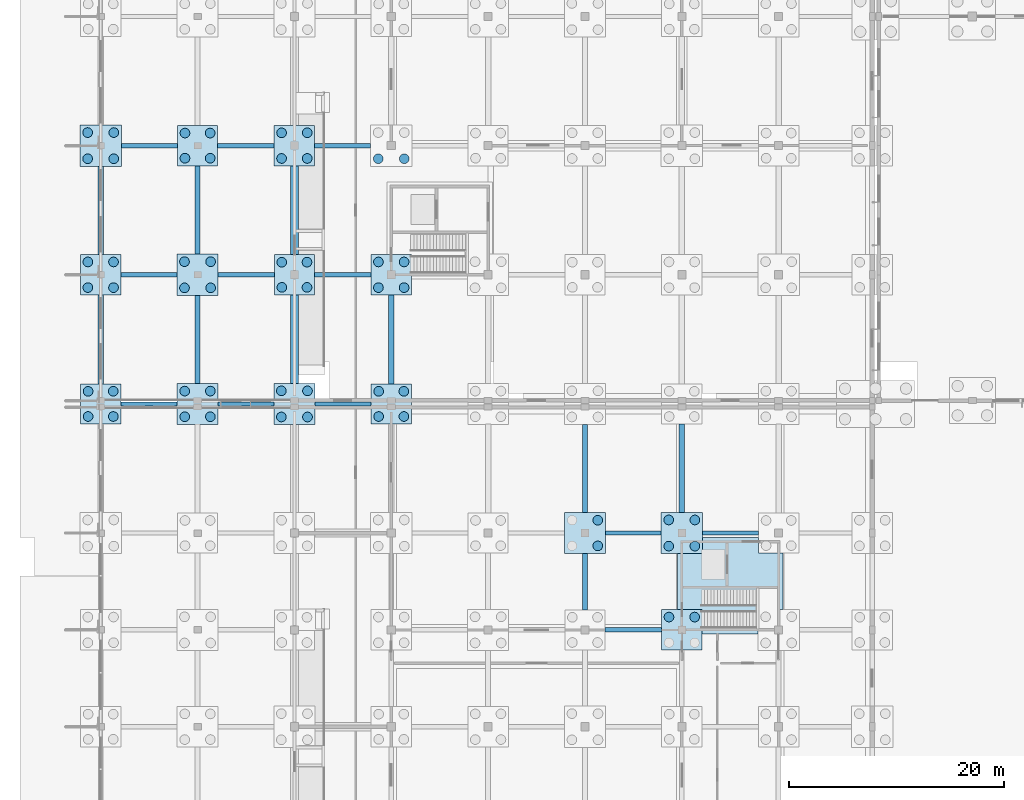
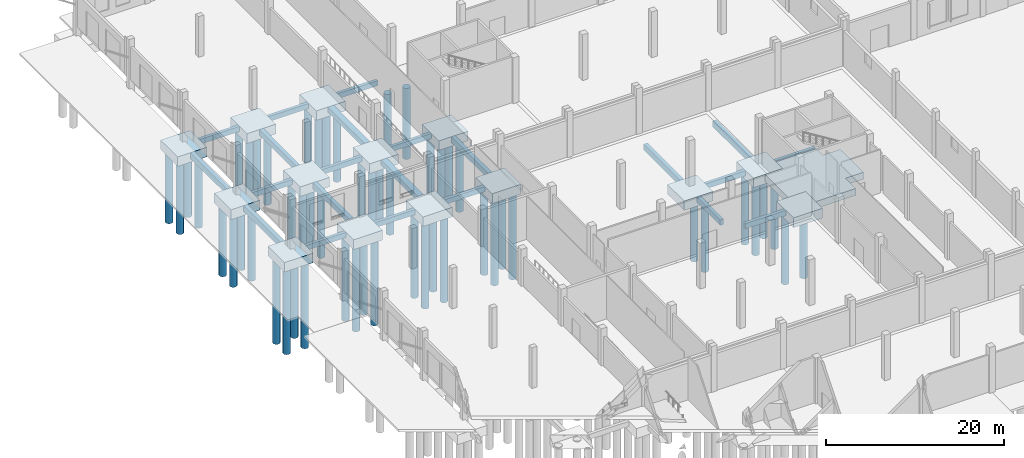
# One storey, part 9 of 99: 54 piles, 37 footings.
"""IFC4 building model written with IfcOpenShell, lengths in metres."""

from ifc_helpers import new_model, si_unit, direction, frame, origin, origin_2d, place, context, subcontext, project, spatial, polyline, rectangle, circle, outline, extrude, material, layer, layer_set, material_profile, profile_set, type_object, element, save


model = new_model("IFC4")

# Units and contexts
model_context = context("Model", 3, precision=1e-05, world=origin(), true_north=direction((0.0, 1.0)))
body_context = subcontext(model_context, "Body", "Model", "MODEL_VIEW")
ifc_project = project(units=[si_unit("LENGTHUNIT", "METRE"), si_unit("AREAUNIT", "SQUARE_METRE"), si_unit("VOLUMEUNIT", "CUBIC_METRE"), si_unit("PLANEANGLEUNIT", "RADIAN"), si_unit("MASSUNIT", "GRAM", prefix="KILO")], contexts=[model_context])

# Site, building, storey
site_placement = place(None, origin())
site = spatial("IfcSite", under=ifc_project, at=site_placement, CompositionType="ELEMENT")
building_placement = place(site_placement, origin())
building = spatial("IfcBuilding", under=site, at=building_placement, Name="Zacnel Wholesale Market", CompositionType="ELEMENT")
storey_placement = place(building_placement, origin())
storey = spatial("IfcBuildingStorey", under=building, at=storey_placement, Name="L01", CompositionType="ELEMENT", Elevation=0.0)

# Footings
ifc_material_1 = material(Name="Concrete C35/45", Category="concrete")
ifc_layer_1 = layer(ifc_material_1, 0.949951171875)
ifc_layer_set_1 = layer_set([ifc_layer_1], Name="Concrete C35/45")
footing_type_1 = type_object("IfcFootingType", Name="FTG-CORE-MAT-9500X8700", PredefinedType="PAD_FOOTING", material=ifc_layer_set_1)
footing_1_placement = place(storey_placement, frame((0.0, 0.0, -1.449951171875)))
element("IfcFooting", 1, at=footing_1_placement, inside=storey, type_object=footing_type_1, Name="Core C4 mat foundation", PredefinedType="PAD_FOOTING", context=body_context, shape_type="SweptSolid", body=[
    extrude(outline(polyline([(61.0849609375, 76.916015625), (61.0849609375, 76.916015625), (61.084716796875, 76.916015625), (61.084716796875, 76.916015625), (61.084716796875, 76.916015625), (61.08447265625, 76.916015625), (61.08447265625, 76.915771484375), (61.08447265625, 76.915771484375), (61.084228515625, 76.915771484375), (61.084228515625, 76.91552734375), (61.084228515625, 76.91552734375), (61.083984375, 76.91552734375), (61.083984375, 76.915283203125), (61.083984375, 76.915283203125), (61.083984375, 76.915283203125), (61.083984375, 76.9150390625), (61.083984375, 76.9150390625), (61.083984375, 74.60009765625), (55.89111328125, 74.60009765625), (55.89111328125, 76.889892578125), (55.89111328125, 76.89013671875), (55.89111328125, 76.89013671875), (55.89111328125, 76.890380859375), (55.890869140625, 76.890380859375), (55.890869140625, 76.890380859375), (55.890869140625, 76.890625), (55.890869140625, 76.890625), (55.890625, 76.890625), (55.890625, 76.890869140625), (55.890625, 76.890869140625), (55.890380859375, 76.890869140625), (55.890380859375, 76.890869140625), (55.890380859375, 76.89111328125), (55.89013671875, 76.89111328125), (55.89013671875, 76.89111328125), (55.889892578125, 76.89111328125), (53.60009765625, 76.89111328125), (53.60009765625, 82.083984375), (55.9150390625, 82.083984375), (55.9150390625, 82.083984375), (55.915283203125, 82.083984375), (55.915283203125, 82.083984375), (55.915283203125, 82.083984375), (55.91552734375, 82.083984375), (55.91552734375, 82.084228515625), (55.91552734375, 82.084228515625), (55.915771484375, 82.084228515625), (55.915771484375, 82.08447265625), (55.915771484375, 82.08447265625), (55.916015625, 82.08447265625), (55.916015625, 82.084716796875), (55.916015625, 82.084716796875), (55.916015625, 82.084716796875), (55.916015625, 82.0849609375), (55.916015625, 82.0849609375), (55.916015625, 83.60009765625), (61.12890625, 83.60009765625), (61.12890625, 82.1298828125), (61.12890625, 82.1298828125), (61.12890625, 82.1298828125), (61.12890625, 82.129638671875), (61.129150390625, 82.129638671875), (61.129150390625, 82.12939453125), (61.129150390625, 82.12939453125), (61.129150390625, 82.12939453125), (61.12939453125, 82.12939453125), (61.12939453125, 82.129150390625), (61.12939453125, 82.129150390625), (61.12939453125, 82.129150390625), (61.129638671875, 82.129150390625), (61.129638671875, 82.12890625), (61.1298828125, 82.12890625), (61.1298828125, 82.12890625), (61.1298828125, 82.12890625), (63.39990234375, 82.12890625), (63.39990234375, 76.916015625), (61.0849609375, 76.916015625)])), origin(), (0.0, 0.0, 1.0), 0.949951171875),
])
ifc_material_2 = material(Name="Concrete C35/45", Category="concrete")
ifc_material_profile_1 = material_profile(ifc_material_2, rectangle(XDim=0.39990234375, YDim=0.699951171875, at=origin_2d()), Name="CT 400x700")
ifc_profile_set_1 = profile_set([ifc_material_profile_1], Name="Concrete C35/45")
footing_type_2 = type_object("IfcFootingType", Name="FTG-CT400X700", PredefinedType="FOOTING_BEAM", material=ifc_profile_set_1)
footing_2_placement = place(storey_placement, frame((46.8701171875, 75.0, -0.85009765625), z_axis=(1.0, 0.0, 0.0), x_axis=(0.0, 1.0, 0.0)))
element("IfcFooting", 2, at=footing_2_placement, inside=storey, type_object=footing_type_2, Name="Ground tie beam CT-X-0415", PredefinedType="FOOTING_BEAM", context=body_context, shape_type="SweptSolid", body=[
    extrude(rectangle(XDim=0.39990234375, YDim=0.699951171875, at=origin_2d()), origin(), (0.0, 0.0, 1.0), 5.239990234375),
])
footing_3_placement = place(storey_placement, frame((46.889892578125, 84.0, -0.85009765625), z_axis=(1.0, 0.0, 0.0), x_axis=(0.0, 1.0, 0.0)))
element("IfcFooting", 3, at=footing_3_placement, inside=storey, type_object=footing_type_2, Name="Ground tie beam CT-X-0425", PredefinedType="FOOTING_BEAM", context=body_context, shape_type="SweptSolid", body=[
    extrude(rectangle(XDim=0.39990234375, YDim=0.699951171875, at=origin_2d()), origin(), (0.0, 0.0, 1.0), 5.195068359375),
])
footing_4_placement = place(storey_placement, frame((55.9150390625, 84.0, -0.85009765625), z_axis=(1.0, 0.0, 0.0), x_axis=(0.0, 1.0, 0.0)))
element("IfcFooting", 4, at=footing_4_placement, inside=storey, type_object=footing_type_2, Name="Ground tie beam CT-X-0426", PredefinedType="FOOTING_BEAM", context=body_context, shape_type="SweptSolid", body=[
    extrude(rectangle(XDim=0.39990234375, YDim=0.699951171875, at=origin_2d()), origin(), (0.0, 0.0, 1.0), 5.21484375),
])
footing_5_placement = place(storey_placement, frame((1.8701171875, 96.0, -0.85009765625), z_axis=(1.0, 0.0, 0.0), x_axis=(0.0, 1.0, 0.0)))
element("IfcFooting", 5, at=footing_5_placement, inside=storey, type_object=footing_type_2, Name="Ground tie beam CT-X-0434", PredefinedType="FOOTING_BEAM", context=body_context, shape_type="SweptSolid", body=[
    extrude(rectangle(XDim=0.39990234375, YDim=0.699951171875, at=origin_2d()), origin(), (0.0, 0.0, 1.0), 5.239990234375),
])
footing_6_placement = place(storey_placement, frame((10.889892578125, 96.0, -0.85009765625), z_axis=(1.0, 0.0, 0.0), x_axis=(0.0, 1.0, 0.0)))
element("IfcFooting", 6, at=footing_6_placement, inside=storey, type_object=footing_type_2, Name="Ground tie beam CT-X-0435", PredefinedType="FOOTING_BEAM", context=body_context, shape_type="SweptSolid", body=[
    extrude(rectangle(XDim=0.39990234375, YDim=0.699951171875, at=origin_2d()), origin(), (0.0, 0.0, 1.0), 5.195068359375),
])
footing_7_placement = place(storey_placement, frame((19.9150390625, 96.0, -0.85009765625), z_axis=(1.0, 0.0, 0.0), x_axis=(0.0, 1.0, 0.0)))
element("IfcFooting", 7, at=footing_7_placement, inside=storey, type_object=footing_type_2, Name="Ground tie beam CT-X-0436", PredefinedType="FOOTING_BEAM", context=body_context, shape_type="SweptSolid", body=[
    extrude(rectangle(XDim=0.39990234375, YDim=0.699951171875, at=origin_2d()), origin(), (0.0, 0.0, 1.0), 5.21484375),
])
footing_8_placement = place(storey_placement, frame((1.889892578125, 108.0, -0.85009765625), z_axis=(1.0, 0.0, 0.0), x_axis=(0.0, 1.0, 0.0)))
element("IfcFooting", 8, at=footing_8_placement, inside=storey, type_object=footing_type_2, Name="Ground tie beam CT-X-0451", PredefinedType="FOOTING_BEAM", context=body_context, shape_type="SweptSolid", body=[
    extrude(rectangle(XDim=0.39990234375, YDim=0.699951171875, at=origin_2d()), origin(), (0.0, 0.0, 1.0), 5.195068359375),
])
footing_9_placement = place(storey_placement, frame((10.9150390625, 108.0, -0.85009765625), z_axis=(1.0, 0.0, 0.0), x_axis=(0.0, 1.0, 0.0)))
element("IfcFooting", 9, at=footing_9_placement, inside=storey, type_object=footing_type_2, Name="Ground tie beam CT-X-0452", PredefinedType="FOOTING_BEAM", context=body_context, shape_type="SweptSolid", body=[
    extrude(rectangle(XDim=0.39990234375, YDim=0.699951171875, at=origin_2d()), origin(), (0.0, 0.0, 1.0), 5.21484375),
])
footing_10_placement = place(storey_placement, frame((19.8701171875, 108.0, -0.85009765625), z_axis=(1.0, 0.0, 0.0), x_axis=(0.0, 1.0, 0.0)))
element("IfcFooting", 10, at=footing_10_placement, inside=storey, type_object=footing_type_2, Name="Ground tie beam CT-X-0453", PredefinedType="FOOTING_BEAM", context=body_context, shape_type="SweptSolid", body=[
    extrude(rectangle(XDim=0.39990234375, YDim=0.699951171875, at=origin_2d()), origin(), (0.0, 0.0, 1.0), 5.239990234375),
])
footing_11_placement = place(storey_placement, frame((1.9150390625, 120.0, -0.85009765625), z_axis=(1.0, 0.0, 0.0), x_axis=(0.0, 1.0, 0.0)))
element("IfcFooting", 11, at=footing_11_placement, inside=storey, type_object=footing_type_2, Name="Ground tie beam CT-X-0461", PredefinedType="FOOTING_BEAM", context=body_context, shape_type="SweptSolid", body=[
    extrude(rectangle(XDim=0.39990234375, YDim=0.699951171875, at=origin_2d()), origin(), (0.0, 0.0, 1.0), 5.21484375),
])
footing_12_placement = place(storey_placement, frame((10.8701171875, 120.0, -0.85009765625), z_axis=(1.0, 0.0, 0.0), x_axis=(0.0, 1.0, 0.0)))
element("IfcFooting", 12, at=footing_12_placement, inside=storey, type_object=footing_type_2, Name="Ground tie beam CT-X-0462", PredefinedType="FOOTING_BEAM", context=body_context, shape_type="SweptSolid", body=[
    extrude(rectangle(XDim=0.39990234375, YDim=0.699951171875, at=origin_2d()), origin(), (0.0, 0.0, 1.0), 5.239990234375),
])
footing_13_placement = place(storey_placement, frame((19.889892578125, 120.0, -0.85009765625), z_axis=(1.0, 0.0, 0.0), x_axis=(0.0, 1.0, 0.0)))
element("IfcFooting", 13, at=footing_13_placement, inside=storey, type_object=footing_type_2, Name="Ground tie beam CT-X-0463", PredefinedType="FOOTING_BEAM", context=body_context, shape_type="SweptSolid", body=[
    extrude(rectangle(XDim=0.39990234375, YDim=0.699951171875, at=origin_2d()), origin(), (0.0, 0.0, 1.0), 5.195068359375),
])
ifc_material_3 = material(Name="Concrete C35/45", Category="concrete")
ifc_material_profile_2 = material_profile(ifc_material_3, rectangle(XDim=0.449951171875, YDim=0.75, at=origin_2d()), Name="CT 450x750")
ifc_profile_set_2 = profile_set([ifc_material_profile_2], Name="Concrete C35/45")
footing_type_3 = type_object("IfcFootingType", Name="FTG-CT450X750", PredefinedType="FOOTING_BEAM", material=ifc_profile_set_2)
footing_14_placement = place(storey_placement, frame((45.0, 76.8701171875, -0.875), z_axis=(0.0, 1.0, 0.0), x_axis=(-1.0, 0.0, 0.0)))
element("IfcFooting", 14, at=footing_14_placement, inside=storey, type_object=footing_type_3, Name="Ground tie beam CT-Y-0051", PredefinedType="FOOTING_BEAM", context=body_context, shape_type="SweptSolid", body=[
    extrude(rectangle(XDim=0.449951171875, YDim=0.75, at=origin_2d()), origin(), (0.0, 0.0, 1.0), 5.239990234375),
])
ifc_material_4 = material(Name="Concrete C35/45", Category="concrete")
ifc_material_profile_3 = material_profile(ifc_material_4, rectangle(XDim=0.5, YDim=0.800048828125, at=origin_2d()), Name="CT 500x800")
ifc_profile_set_3 = profile_set([ifc_material_profile_3], Name="Concrete C35/45")
footing_type_4 = type_object("IfcFootingType", Name="FTG-CT500X800", PredefinedType="FOOTING_BEAM", material=ifc_profile_set_3)
footing_15_placement = place(storey_placement, frame((0.0, 97.8701171875, -0.89990234375), z_axis=(0.0, 1.0, 0.0), x_axis=(-1.0, 0.0, 0.0)))
element("IfcFooting", 15, at=footing_15_placement, inside=storey, type_object=footing_type_4, Name="Ground tie beam CT-Y-0009", PredefinedType="FOOTING_BEAM", context=body_context, shape_type="SweptSolid", body=[
    extrude(rectangle(XDim=0.5, YDim=0.800048828125, at=origin_2d()), origin(), (0.0, 0.0, 1.0), 8.239990234375),
])
for number, where, z_axis, x_axis, name in (
    (16, (0.0, 109.889892578125, -0.89990234375), (0.0, 1.0, 0.0), (-1.0, 0.0, 0.0), "Ground tie beam CT-Y-0010"),
    (17, (9.0, 97.889892578125, -0.89990234375), (0.0, 1.0, 0.0), (-1.0, 0.0, 0.0), "Ground tie beam CT-Y-0021"),
):
    element("IfcFooting", number, at=place(storey_placement, frame(where, z_axis=z_axis, x_axis=x_axis)), inside=storey, type_object=footing_type_4, Name=name, PredefinedType="FOOTING_BEAM", context=body_context, shape_type="SweptSolid", body=[
        extrude(rectangle(XDim=0.5, YDim=0.800048828125, at=origin_2d()), origin(), (0.0, 0.0, 1.0), 8.195068359375),
    ])
footing_16_placement = place(storey_placement, frame((9.0, 109.9150390625, -0.89990234375), z_axis=(0.0, 1.0, 0.0), x_axis=(-1.0, 0.0, 0.0)))
element("IfcFooting", 18, at=footing_16_placement, inside=storey, type_object=footing_type_4, Name="Ground tie beam CT-Y-0022", PredefinedType="FOOTING_BEAM", context=body_context, shape_type="SweptSolid", body=[
    extrude(rectangle(XDim=0.5, YDim=0.800048828125, at=origin_2d()), origin(), (0.0, 0.0, 1.0), 8.21484375),
])
footing_17_placement = place(storey_placement, frame((27.0, 97.8701171875, -0.89990234375), z_axis=(0.0, 1.0, 0.0), x_axis=(-1.0, 0.0, 0.0)))
element("IfcFooting", 19, at=footing_17_placement, inside=storey, type_object=footing_type_4, Name="Ground tie beam CT-Y-0032", PredefinedType="FOOTING_BEAM", context=body_context, shape_type="SweptSolid", body=[
    extrude(rectangle(XDim=0.5, YDim=0.800048828125, at=origin_2d()), origin(), (0.0, 0.0, 1.0), 8.239990234375),
])
footing_18_placement = place(storey_placement, frame((45.0, 85.889892578125, -0.89990234375), z_axis=(0.0, 1.0, 0.0), x_axis=(-1.0, 0.0, 0.0)))
element("IfcFooting", 20, at=footing_18_placement, inside=storey, type_object=footing_type_4, Name="Ground tie beam CT-Y-0052", PredefinedType="FOOTING_BEAM", context=body_context, shape_type="SweptSolid", body=[
    extrude(rectangle(XDim=0.5, YDim=0.800048828125, at=origin_2d()), origin(), (0.0, 0.0, 1.0), 8.195068359375),
])
footing_19_placement = place(storey_placement, frame((54.0, 85.9150390625, -0.89990234375), z_axis=(0.0, 1.0, 0.0), x_axis=(-1.0, 0.0, 0.0)))
element("IfcFooting", 21, at=footing_19_placement, inside=storey, type_object=footing_type_4, Name="Ground tie beam CT-Y-0067", PredefinedType="FOOTING_BEAM", context=body_context, shape_type="SweptSolid", body=[
    extrude(rectangle(XDim=0.5, YDim=0.800048828125, at=origin_2d()), origin(), (0.0, 0.0, 1.0), 8.21484375),
])
ifc_material_5 = material(Name="Concrete C35/45", Category="concrete")
ifc_layer_2 = layer(ifc_material_5, 1.300048828125)
ifc_layer_set_2 = layer_set([ifc_layer_2], Name="Concrete C35/45")
footing_type_5 = type_object("IfcFootingType", Name="FTG-PC-3740X3740X1300", PredefinedType="PILE_CAP", material=ifc_layer_set_2)
footing_20_placement = place(storey_placement, frame((0.0, 96.0, -1.7998046875), z_axis=(0.0, 0.0, 1.0), x_axis=(1.0, 0.0, 0.0)))
element("IfcFooting", 22, at=footing_20_placement, inside=storey, type_object=footing_type_5, Name="Pile cap PC-03 (STR-PC-009)", PredefinedType="PILE_CAP", context=body_context, shape_type="SweptSolid", body=[
    extrude(rectangle(XDim=3.739990234375, YDim=3.739990234375, at=origin_2d()), origin(), (0.0, 0.0, 1.0), 1.300048828125),
])
ifc_material_6 = material(Name="Concrete C35/45", Category="concrete")
ifc_layer_3 = layer(ifc_material_6, 1.35009765625)
ifc_layer_set_3 = layer_set([ifc_layer_3], Name="Concrete C35/45")
footing_type_6 = type_object("IfcFootingType", Name="FTG-PC-3740X3740X1350", PredefinedType="PILE_CAP", material=ifc_layer_set_3)
for number, where, z_axis, x_axis, name in (
    (23, (9.0, 120.0, -1.85009765625), (0.0, 0.0, 1.0), (1.0, 0.0, 0.0), "Pile cap PC-06 (STR-PC-024)"),
    (24, (18.0, 108.0, -1.85009765625), (0.0, 0.0, 1.0), (1.0, 0.0, 0.0), "Pile cap PC-06 (STR-PC-036)"),
    (25, (27.0, 96.0, -1.85009765625), (0.0, 0.0, 1.0), (1.0, 0.0, 0.0), "Pile cap PC-06 (STR-PC-048)"),
):
    element("IfcFooting", number, at=place(storey_placement, frame(where, z_axis=z_axis, x_axis=x_axis)), inside=storey, type_object=footing_type_6, Name=name, PredefinedType="PILE_CAP", context=body_context, shape_type="SweptSolid", body=[
        extrude(rectangle(XDim=3.739990234375, YDim=3.739990234375, at=origin_2d()), origin(), (0.0, 0.0, 1.0), 1.35009765625),
    ])
ifc_material_7 = material(Name="Concrete C35/45", Category="concrete")
ifc_layer_4 = layer(ifc_material_7, 1.300048828125)
ifc_layer_set_4 = layer_set([ifc_layer_4], Name="Concrete C35/45")
footing_type_7 = type_object("IfcFootingType", Name="FTG-PC-3780X3780X1300", PredefinedType="PILE_CAP", material=ifc_layer_set_4)
for number, where, z_axis, x_axis, name in (
    (26, (18.0, 120.0, -1.7998046875), (0.0, 0.0, 1.0), (1.0, 0.0, 0.0), "Pile cap PC-01 (STR-PC-037)"),
    (27, (27.0, 108.0, -1.7998046875), (0.0, 0.0, 1.0), (1.0, 0.0, 0.0), "Pile cap PC-01 (STR-PC-049)"),
    (28, (45.0, 84.0, -1.7998046875), (0.0, 0.0, 1.0), (1.0, 0.0, 0.0), "Pile cap PC-01 (STR-PC-073)"),
):
    element("IfcFooting", number, at=place(storey_placement, frame(where, z_axis=z_axis, x_axis=x_axis)), inside=storey, type_object=footing_type_7, Name=name, PredefinedType="PILE_CAP", context=body_context, shape_type="SweptSolid", body=[
        extrude(rectangle(XDim=3.780029296875, YDim=3.780029296875, at=origin_2d()), origin(), (0.0, 0.0, 1.0), 1.300048828125),
    ])
ifc_material_8 = material(Name="Concrete C35/45", Category="concrete")
ifc_layer_5 = layer(ifc_material_8, 1.35009765625)
ifc_layer_set_5 = layer_set([ifc_layer_5], Name="Concrete C35/45")
footing_type_8 = type_object("IfcFootingType", Name="FTG-PC-3780X3780X1350", PredefinedType="PILE_CAP", material=ifc_layer_set_5)
for number, where, z_axis, x_axis, name in (
    (29, (0.0, 108.0, -1.85009765625), (0.0, 0.0, 1.0), (1.0, 0.0, 0.0), "Pile cap PC-04 (STR-PC-010)"),
    (30, (9.0, 96.0, -1.85009765625), (0.0, 0.0, 1.0), (1.0, 0.0, 0.0), "Pile cap PC-04 (STR-PC-022)"),
    (31, (54.0, 75.0, -1.85009765625), (0.0, 0.0, 1.0), (1.0, 0.0, 0.0), "Pile cap PC-04 (STR-PC-088)"),
):
    element("IfcFooting", number, at=place(storey_placement, frame(where, z_axis=z_axis, x_axis=x_axis)), inside=storey, type_object=footing_type_8, Name=name, PredefinedType="PILE_CAP", context=body_context, shape_type="SweptSolid", body=[
        extrude(rectangle(XDim=3.780029296875, YDim=3.780029296875, at=origin_2d()), origin(), (0.0, 0.0, 1.0), 1.35009765625),
    ])
ifc_material_9 = material(Name="Concrete C35/45", Category="concrete")
ifc_layer_6 = layer(ifc_material_9, 1.300048828125)
ifc_layer_set_6 = layer_set([ifc_layer_6], Name="Concrete C35/45")
footing_type_9 = type_object("IfcFootingType", Name="FTG-PC-3830X3830X1300", PredefinedType="PILE_CAP", material=ifc_layer_set_6)
for number, where, z_axis, x_axis, name in (
    (32, (0.0, 120.0, -1.7998046875), (0.0, 0.0, 1.0), (1.0, 0.0, 0.0), "Pile cap PC-05 (STR-PC-011)"),
    (33, (9.0, 108.0, -1.7998046875), (0.0, 0.0, 1.0), (1.0, 0.0, 0.0), "Pile cap PC-05 (STR-PC-023)"),
    (34, (18.0, 96.0, -1.7998046875), (0.0, 0.0, 1.0), (1.0, 0.0, 0.0), "Pile cap PC-05 (STR-PC-035)"),
    (35, (54.0, 84.0, -1.7998046875), (0.0, 0.0, 1.0), (1.0, 0.0, 0.0), "Pile cap PC-05 (STR-PC-089)"),
):
    element("IfcFooting", number, at=place(storey_placement, frame(where, z_axis=z_axis, x_axis=x_axis)), inside=storey, type_object=footing_type_9, Name=name, PredefinedType="PILE_CAP", context=body_context, shape_type="SweptSolid", body=[
        extrude(rectangle(XDim=3.830078125, YDim=3.830078125, at=origin_2d()), origin(), (0.0, 0.0, 1.0), 1.300048828125),
    ])
ifc_material_10 = material(Name="Concrete C35/45", Category="concrete")
ifc_layer_7 = layer(ifc_material_10, 0.699951171875)
ifc_layer_set_7 = layer_set([ifc_layer_7], Name="Concrete C35/45")
footing_type_10 = type_object("IfcFootingType", Name="FTG-STRIP-750X700", PredefinedType="STRIP_FOOTING", material=ifc_layer_set_7)
footing_21_placement = place(storey_placement, frame((0.0, 0.0, -1.199951171875)))
element("IfcFooting", 36, at=footing_21_placement, inside=storey, type_object=footing_type_10, Name="Dock step strip footing 009", PredefinedType="STRIP_FOOTING", context=body_context, shape_type="SweptSolid", body=[
    extrude(outline(polyline([(18.375, 97.916015625), (18.375, 106.12890625), (17.625, 106.12890625), (17.625, 97.916015625), (18.375, 97.916015625)])), origin(), (0.0, 0.0, 1.0), 0.699951171875),
])
footing_22_placement = place(storey_placement, frame((0.0, 0.0, -1.199951171875)))
element("IfcFooting", 37, at=footing_22_placement, inside=storey, type_object=footing_type_10, Name="Dock step strip footing 010", PredefinedType="STRIP_FOOTING", context=body_context, shape_type="SweptSolid", body=[
    extrude(outline(polyline([(18.375, 109.87109375), (18.375, 118.10888671875), (17.625, 118.10888671875), (17.625, 109.87109375), (18.375, 109.87109375)])), origin(), (0.0, 0.0, 1.0), 0.699951171875),
])

# Piles
ifc_material_11 = material(Name="Concrete C35/45", Category="concrete")
ifc_material_profile_4 = material_profile(ifc_material_11, circle(Radius=0.449951171875, at=origin_2d()), Name="BORED PILE D900")
ifc_profile_set_4 = profile_set([ifc_material_profile_4], Name="Concrete C35/45")
pile_type = type_object("IfcPileType", Name="PILE-BORED-900", PredefinedType="BORED", material=ifc_profile_set_4)
for number, where, z_axis, x_axis, name in (
    (38, (-1.169921875, 94.830078125, -1.699951171875), (0.0, 0.0, -1.0), (1.0, 0.0, 0.0), "Bored pile STR-PILE-009-01"),
    (39, (-1.169921875, 97.169921875, -1.699951171875), (0.0, 0.0, -1.0), (1.0, 0.0, 0.0), "Bored pile STR-PILE-009-02"),
    (40, (1.169921875, 94.830078125, -1.699951171875), (0.0, 0.0, -1.0), (1.0, 0.0, 0.0), "Bored pile STR-PILE-009-03"),
    (41, (1.169921875, 97.169921875, -1.699951171875), (0.0, 0.0, -1.0), (1.0, 0.0, 0.0), "Bored pile STR-PILE-009-04"),
):
    element("IfcPile", number, at=place(storey_placement, frame(where, z_axis=z_axis, x_axis=x_axis)), inside=storey, type_object=pile_type, Name=name, PredefinedType="BORED", context=body_context, shape_type="SweptSolid", body=[
        extrude(circle(Radius=0.449951171875, at=origin_2d()), origin(), (0.0, 0.0, 1.0), 11.800048828125),
    ])
for number, where, z_axis, x_axis, name in (
    (42, (-1.1923828125, 106.8076171875, -1.75), (0.0, 0.0, -1.0), (1.0, 0.0, 0.0), "Bored pile STR-PILE-010-01"),
    (43, (-1.1923828125, 109.1923828125, -1.75), (0.0, 0.0, -1.0), (1.0, 0.0, 0.0), "Bored pile STR-PILE-010-02"),
    (44, (1.1923828125, 106.8076171875, -1.75), (0.0, 0.0, -1.0), (1.0, 0.0, 0.0), "Bored pile STR-PILE-010-03"),
    (45, (1.1923828125, 109.1923828125, -1.75), (0.0, 0.0, -1.0), (1.0, 0.0, 0.0), "Bored pile STR-PILE-010-04"),
):
    element("IfcPile", number, at=place(storey_placement, frame(where, z_axis=z_axis, x_axis=x_axis)), inside=storey, type_object=pile_type, Name=name, PredefinedType="BORED", context=body_context, shape_type="SweptSolid", body=[
        extrude(circle(Radius=0.449951171875, at=origin_2d()), origin(), (0.0, 0.0, 1.0), 9.75),
    ])
for number, where, z_axis, x_axis, name in (
    (46, (-1.215087890625, 118.784912109375, -1.699951171875), (0.0, 0.0, -1.0), (1.0, 0.0, 0.0), "Bored pile STR-PILE-011-01"),
    (47, (-1.215087890625, 121.215087890625, -1.699951171875), (0.0, 0.0, -1.0), (1.0, 0.0, 0.0), "Bored pile STR-PILE-011-02"),
    (48, (1.215087890625, 118.784912109375, -1.699951171875), (0.0, 0.0, -1.0), (1.0, 0.0, 0.0), "Bored pile STR-PILE-011-03"),
    (49, (1.215087890625, 121.215087890625, -1.699951171875), (0.0, 0.0, -1.0), (1.0, 0.0, 0.0), "Bored pile STR-PILE-011-04"),
):
    element("IfcPile", number, at=place(storey_placement, frame(where, z_axis=z_axis, x_axis=x_axis)), inside=storey, type_object=pile_type, Name=name, PredefinedType="BORED", context=body_context, shape_type="SweptSolid", body=[
        extrude(circle(Radius=0.449951171875, at=origin_2d()), origin(), (0.0, 0.0, 1.0), 9.800048828125),
    ])
for number, where, z_axis, x_axis, name in (
    (50, (7.8076171875, 94.8076171875, -1.75), (0.0, 0.0, -1.0), (1.0, 0.0, 0.0), "Bored pile STR-PILE-022-01"),
    (51, (7.8076171875, 97.1923828125, -1.75), (0.0, 0.0, -1.0), (1.0, 0.0, 0.0), "Bored pile STR-PILE-022-02"),
    (52, (10.1923828125, 94.8076171875, -1.75), (0.0, 0.0, -1.0), (1.0, 0.0, 0.0), "Bored pile STR-PILE-022-03"),
    (53, (10.1923828125, 97.1923828125, -1.75), (0.0, 0.0, -1.0), (1.0, 0.0, 0.0), "Bored pile STR-PILE-022-04"),
):
    element("IfcPile", number, at=place(storey_placement, frame(where, z_axis=z_axis, x_axis=x_axis)), inside=storey, type_object=pile_type, Name=name, PredefinedType="BORED", context=body_context, shape_type="SweptSolid", body=[
        extrude(circle(Radius=0.449951171875, at=origin_2d()), origin(), (0.0, 0.0, 1.0), 11.75),
    ])
for number, where, z_axis, x_axis, name in (
    (54, (7.784912109375, 106.784912109375, -1.699951171875), (0.0, 0.0, -1.0), (1.0, 0.0, 0.0), "Bored pile STR-PILE-023-01"),
    (55, (7.784912109375, 109.215087890625, -1.699951171875), (0.0, 0.0, -1.0), (1.0, 0.0, 0.0), "Bored pile STR-PILE-023-02"),
    (56, (10.215087890625, 106.784912109375, -1.699951171875), (0.0, 0.0, -1.0), (1.0, 0.0, 0.0), "Bored pile STR-PILE-023-03"),
    (57, (10.215087890625, 109.215087890625, -1.699951171875), (0.0, 0.0, -1.0), (1.0, 0.0, 0.0), "Bored pile STR-PILE-023-04"),
):
    element("IfcPile", number, at=place(storey_placement, frame(where, z_axis=z_axis, x_axis=x_axis)), inside=storey, type_object=pile_type, Name=name, PredefinedType="BORED", context=body_context, shape_type="SweptSolid", body=[
        extrude(circle(Radius=0.449951171875, at=origin_2d()), origin(), (0.0, 0.0, 1.0), 9.800048828125),
    ])
for number, where, z_axis, x_axis, name in (
    (58, (7.830078125, 118.830078125, -1.75), (0.0, 0.0, -1.0), (1.0, 0.0, 0.0), "Bored pile STR-PILE-024-01"),
    (59, (7.830078125, 121.169921875, -1.75), (0.0, 0.0, -1.0), (1.0, 0.0, 0.0), "Bored pile STR-PILE-024-02"),
    (60, (10.169921875, 118.830078125, -1.75), (0.0, 0.0, -1.0), (1.0, 0.0, 0.0), "Bored pile STR-PILE-024-03"),
    (61, (10.169921875, 121.169921875, -1.75), (0.0, 0.0, -1.0), (1.0, 0.0, 0.0), "Bored pile STR-PILE-024-04"),
):
    element("IfcPile", number, at=place(storey_placement, frame(where, z_axis=z_axis, x_axis=x_axis)), inside=storey, type_object=pile_type, Name=name, PredefinedType="BORED", context=body_context, shape_type="SweptSolid", body=[
        extrude(circle(Radius=0.449951171875, at=origin_2d()), origin(), (0.0, 0.0, 1.0), 9.75),
    ])
for number, where, z_axis, x_axis, name in (
    (62, (16.784912109375, 94.784912109375, -1.699951171875), (0.0, 0.0, -1.0), (1.0, 0.0, 0.0), "Bored pile STR-PILE-035-01"),
    (63, (16.784912109375, 97.215087890625, -1.699951171875), (0.0, 0.0, -1.0), (1.0, 0.0, 0.0), "Bored pile STR-PILE-035-02"),
    (64, (19.215087890625, 94.784912109375, -1.699951171875), (0.0, 0.0, -1.0), (1.0, 0.0, 0.0), "Bored pile STR-PILE-035-03"),
    (65, (19.215087890625, 97.215087890625, -1.699951171875), (0.0, 0.0, -1.0), (1.0, 0.0, 0.0), "Bored pile STR-PILE-035-04"),
):
    element("IfcPile", number, at=place(storey_placement, frame(where, z_axis=z_axis, x_axis=x_axis)), inside=storey, type_object=pile_type, Name=name, PredefinedType="BORED", context=body_context, shape_type="SweptSolid", body=[
        extrude(circle(Radius=0.449951171875, at=origin_2d()), origin(), (0.0, 0.0, 1.0), 11.800048828125),
    ])
for number, where, z_axis, x_axis, name in (
    (66, (16.830078125, 106.830078125, -1.75), (0.0, 0.0, -1.0), (1.0, 0.0, 0.0), "Bored pile STR-PILE-036-01"),
    (67, (16.830078125, 109.169921875, -1.75), (0.0, 0.0, -1.0), (1.0, 0.0, 0.0), "Bored pile STR-PILE-036-02"),
    (68, (19.169921875, 106.830078125, -1.75), (0.0, 0.0, -1.0), (1.0, 0.0, 0.0), "Bored pile STR-PILE-036-03"),
    (69, (19.169921875, 109.169921875, -1.75), (0.0, 0.0, -1.0), (1.0, 0.0, 0.0), "Bored pile STR-PILE-036-04"),
):
    element("IfcPile", number, at=place(storey_placement, frame(where, z_axis=z_axis, x_axis=x_axis)), inside=storey, type_object=pile_type, Name=name, PredefinedType="BORED", context=body_context, shape_type="SweptSolid", body=[
        extrude(circle(Radius=0.449951171875, at=origin_2d()), origin(), (0.0, 0.0, 1.0), 9.75),
    ])
for number, where, z_axis, x_axis, name in (
    (70, (16.8076171875, 118.8076171875, -1.699951171875), (0.0, 0.0, -1.0), (1.0, 0.0, 0.0), "Bored pile STR-PILE-037-01"),
    (71, (16.8076171875, 121.1923828125, -1.699951171875), (0.0, 0.0, -1.0), (1.0, 0.0, 0.0), "Bored pile STR-PILE-037-02"),
    (72, (19.1923828125, 118.8076171875, -1.699951171875), (0.0, 0.0, -1.0), (1.0, 0.0, 0.0), "Bored pile STR-PILE-037-03"),
    (73, (19.1923828125, 121.1923828125, -1.699951171875), (0.0, 0.0, -1.0), (1.0, 0.0, 0.0), "Bored pile STR-PILE-037-04"),
):
    element("IfcPile", number, at=place(storey_placement, frame(where, z_axis=z_axis, x_axis=x_axis)), inside=storey, type_object=pile_type, Name=name, PredefinedType="BORED", context=body_context, shape_type="SweptSolid", body=[
        extrude(circle(Radius=0.449951171875, at=origin_2d()), origin(), (0.0, 0.0, 1.0), 9.800048828125),
    ])
for number, where, z_axis, x_axis, name in (
    (74, (25.830078125, 94.830078125, -1.75), (0.0, 0.0, -1.0), (1.0, 0.0, 0.0), "Bored pile STR-PILE-048-01"),
    (75, (25.830078125, 97.169921875, -1.75), (0.0, 0.0, -1.0), (1.0, 0.0, 0.0), "Bored pile STR-PILE-048-02"),
    (76, (28.169921875, 94.830078125, -1.75), (0.0, 0.0, -1.0), (1.0, 0.0, 0.0), "Bored pile STR-PILE-048-03"),
    (77, (28.169921875, 97.169921875, -1.75), (0.0, 0.0, -1.0), (1.0, 0.0, 0.0), "Bored pile STR-PILE-048-04"),
):
    element("IfcPile", number, at=place(storey_placement, frame(where, z_axis=z_axis, x_axis=x_axis)), inside=storey, type_object=pile_type, Name=name, PredefinedType="BORED", context=body_context, shape_type="SweptSolid", body=[
        extrude(circle(Radius=0.449951171875, at=origin_2d()), origin(), (0.0, 0.0, 1.0), 11.75),
    ])
for number, where, z_axis, x_axis, name in (
    (78, (25.8076171875, 106.8076171875, -1.699951171875), (0.0, 0.0, -1.0), (1.0, 0.0, 0.0), "Bored pile STR-PILE-049-01"),
    (79, (25.8076171875, 109.1923828125, -1.699951171875), (0.0, 0.0, -1.0), (1.0, 0.0, 0.0), "Bored pile STR-PILE-049-02"),
    (80, (28.1923828125, 106.8076171875, -1.699951171875), (0.0, 0.0, -1.0), (1.0, 0.0, 0.0), "Bored pile STR-PILE-049-03"),
    (81, (28.1923828125, 109.1923828125, -1.699951171875), (0.0, 0.0, -1.0), (1.0, 0.0, 0.0), "Bored pile STR-PILE-049-04"),
):
    element("IfcPile", number, at=place(storey_placement, frame(where, z_axis=z_axis, x_axis=x_axis)), inside=storey, type_object=pile_type, Name=name, PredefinedType="BORED", context=body_context, shape_type="SweptSolid", body=[
        extrude(circle(Radius=0.449951171875, at=origin_2d()), origin(), (0.0, 0.0, 1.0), 9.800048828125),
    ])
for number, where, z_axis, x_axis, name in (
    (82, (25.784912109375, 118.784912109375, -1.75), (0.0, 0.0, -1.0), (1.0, 0.0, 0.0), "Bored pile STR-PILE-050-01"),
    (83, (28.215087890625, 118.784912109375, -1.75), (0.0, 0.0, -1.0), (1.0, 0.0, 0.0), "Bored pile STR-PILE-050-03"),
):
    element("IfcPile", number, at=place(storey_placement, frame(where, z_axis=z_axis, x_axis=x_axis)), inside=storey, type_object=pile_type, Name=name, PredefinedType="BORED", context=body_context, shape_type="SweptSolid", body=[
        extrude(circle(Radius=0.449951171875, at=origin_2d()), origin(), (0.0, 0.0, 1.0), 9.75),
    ])
for number, where, z_axis, x_axis, name in (
    (84, (46.1923828125, 82.8076171875, -1.699951171875), (0.0, 0.0, -1.0), (1.0, 0.0, 0.0), "Bored pile STR-PILE-073-03"),
    (85, (46.1923828125, 85.1923828125, -1.699951171875), (0.0, 0.0, -1.0), (1.0, 0.0, 0.0), "Bored pile STR-PILE-073-04"),
):
    element("IfcPile", number, at=place(storey_placement, frame(where, z_axis=z_axis, x_axis=x_axis)), inside=storey, type_object=pile_type, Name=name, PredefinedType="BORED", context=body_context, shape_type="SweptSolid", body=[
        extrude(circle(Radius=0.449951171875, at=origin_2d()), origin(), (0.0, 0.0, 1.0), 9.800048828125),
    ])
for number, where, z_axis, x_axis, name in (
    (86, (52.8076171875, 76.1923828125, -1.75), (0.0, 0.0, -1.0), (1.0, 0.0, 0.0), "Bored pile STR-PILE-088-02"),
    (87, (55.1923828125, 76.1923828125, -1.75), (0.0, 0.0, -1.0), (1.0, 0.0, 0.0), "Bored pile STR-PILE-088-04"),
):
    element("IfcPile", number, at=place(storey_placement, frame(where, z_axis=z_axis, x_axis=x_axis)), inside=storey, type_object=pile_type, Name=name, PredefinedType="BORED", context=body_context, shape_type="SweptSolid", body=[
        extrude(circle(Radius=0.449951171875, at=origin_2d()), origin(), (0.0, 0.0, 1.0), 9.75),
    ])
for number, where, z_axis, x_axis, name in (
    (88, (52.784912109375, 82.784912109375, -1.699951171875), (0.0, 0.0, -1.0), (1.0, 0.0, 0.0), "Bored pile STR-PILE-089-01"),
    (89, (52.784912109375, 85.215087890625, -1.699951171875), (0.0, 0.0, -1.0), (1.0, 0.0, 0.0), "Bored pile STR-PILE-089-02"),
    (90, (55.215087890625, 82.784912109375, -1.699951171875), (0.0, 0.0, -1.0), (1.0, 0.0, 0.0), "Bored pile STR-PILE-089-03"),
    (91, (55.215087890625, 85.215087890625, -1.699951171875), (0.0, 0.0, -1.0), (1.0, 0.0, 0.0), "Bored pile STR-PILE-089-04"),
):
    element("IfcPile", number, at=place(storey_placement, frame(where, z_axis=z_axis, x_axis=x_axis)), inside=storey, type_object=pile_type, Name=name, PredefinedType="BORED", context=body_context, shape_type="SweptSolid", body=[
        extrude(circle(Radius=0.449951171875, at=origin_2d()), origin(), (0.0, 0.0, 1.0), 9.800048828125),
    ])

save(model, "model.ifc")
